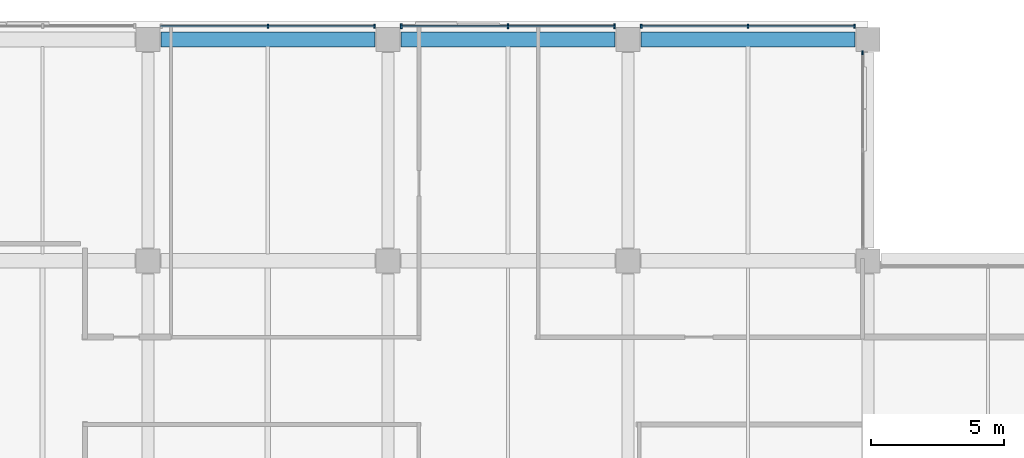
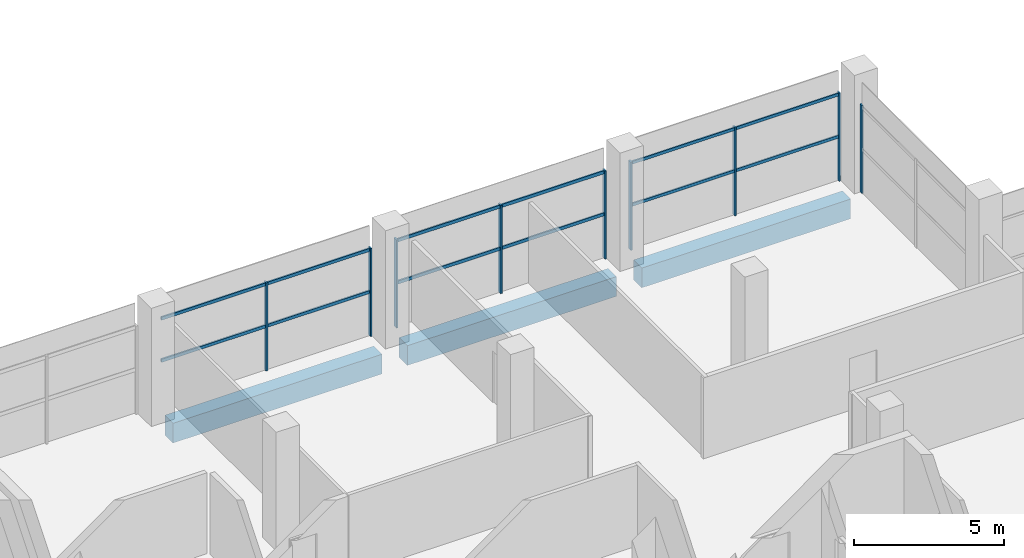
# One storey, part 36 of 100: 15 members, 3 beams, 4 elements without a shape of their own.
"""IFC4 building model written with IfcOpenShell, lengths in metres."""

from ifc_helpers import new_model, si_unit, direction, frame, origin, origin_2d, place, context, subcontext, project, spatial, rectangle, extrude, material, material_profile, profile_set, type_object, element, aggregate, save


model = new_model("IFC4")

# Units and contexts
model_context = context("Model", 3, precision=1e-05, world=origin(), true_north=direction((0.0, 1.0)))
body_context = subcontext(model_context, "Body", "Model", "MODEL_VIEW")
ifc_project = project(units=[si_unit("LENGTHUNIT", "METRE"), si_unit("AREAUNIT", "SQUARE_METRE"), si_unit("VOLUMEUNIT", "CUBIC_METRE"), si_unit("PLANEANGLEUNIT", "RADIAN"), si_unit("MASSUNIT", "GRAM", prefix="KILO"), si_unit("THERMODYNAMICTEMPERATUREUNIT", "KELVIN"), si_unit("POWERUNIT", "WATT")], contexts=[model_context])

# Site, building, storey
site_placement = place(None, origin())
site = spatial("IfcSite", under=ifc_project, at=site_placement, CompositionType="ELEMENT")
building_placement = place(site_placement, origin())
building = spatial("IfcBuilding", under=site, at=building_placement, Name="Sindhuravela Promenade Stadium", CompositionType="ELEMENT")
storey_placement = place(building_placement, frame((0.0, 0.0, 4.800048828125)))
storey = spatial("IfcBuildingStorey", under=building, at=storey_placement, Name="L01", CompositionType="ELEMENT", Elevation=4.800048828125)

# Curtain wall, members
ifc_material_1 = material(Name="Anodised architectural aluminium 6063-T6", Category="aluminium")
curtain_wall_type_1 = type_object("IfcCurtainWallType", Name="CW-MOD-4", PredefinedType="NOTDEFINED", material=ifc_material_1)
curtain_wall_1_placement = place(storey_placement, origin())
curtain_wall_1 = element("IfcCurtainWall", 1, at=curtain_wall_1_placement, inside=storey, type_object=curtain_wall_type_1, Name="Bronze curtain wall CW-NORTH-L01-139", PredefinedType="NOTDEFINED")
ifc_material_profile_1 = material_profile(ifc_material_1, rectangle(XDim=0.06494140625, YDim=0.14990234375, at=origin_2d()), Name="ALU MULL 65x150")
ifc_profile_set_1 = profile_set([ifc_material_profile_1], Name="Anodised architectural aluminium 6063-T6")
member_type_1 = type_object("IfcMemberType", Name="CW-MUL-2", PredefinedType="MULLION", material=ifc_profile_set_1)
member_1_placement = place(storey_placement, frame((67.5, 161.800048828125, 0.0), z_axis=(0.0, 0.0, 1.0), x_axis=(1.0, 0.0, 0.0)))
member_1 = element("IfcMember", 2, at=member_1_placement, type_object=member_type_1, Name="Curtain wall mullion CW-NORTH-L01-139-M2", PredefinedType="MULLION", context=body_context, shape_type="SweptSolid", body=[
    extrude(rectangle(XDim=0.06494140625, YDim=0.14990234375, at=origin_2d()), origin(), (0.0, 0.0, 1.0), 3.579833984375),
])
member_2_placement = place(storey_placement, frame((71.5, 161.800048828125, 0.0), z_axis=(0.0, 0.0, 1.0), x_axis=(1.0, 0.0, 0.0)))
member_2 = element("IfcMember", 3, at=member_2_placement, type_object=member_type_1, Name="Curtain wall mullion CW-NORTH-L01-139-M3", PredefinedType="MULLION", context=body_context, shape_type="SweptSolid", body=[
    extrude(rectangle(XDim=0.06494140625, YDim=0.14990234375, at=origin_2d()), origin(), (0.0, 0.0, 1.0), 3.579833984375),
])

curtain_wall_type_2 = type_object("IfcCurtainWallType", Name="CW-MOD-5", PredefinedType="NOTDEFINED", material=ifc_material_1)
curtain_wall_2_placement = place(storey_placement, origin())
curtain_wall_2 = element("IfcCurtainWall", 4, at=curtain_wall_2_placement, inside=storey, type_object=curtain_wall_type_2, Name="Bronze curtain wall CW-NORTH-L01-140", PredefinedType="NOTDEFINED")
ifc_material_profile_2 = material_profile(ifc_material_1, rectangle(XDim=0.06005859375, YDim=0.179931640625, at=origin_2d()), Name="ALU M60x180")
ifc_profile_set_2 = profile_set([ifc_material_profile_2], Name="Anodised architectural aluminium 6063-T6")
member_type_2 = type_object("IfcMemberType", Name="CW-MUL-3", PredefinedType="MULLION", material=ifc_profile_set_2)
member_3_placement = place(storey_placement, frame((72.5, 161.800048828125, 0.0), z_axis=(0.0, 0.0, 1.0), x_axis=(1.0, 0.0, 0.0)))
member_3 = element("IfcMember", 5, at=member_3_placement, type_object=member_type_2, Name="Curtain wall mullion CW-NORTH-L01-140-M1", PredefinedType="MULLION", context=body_context, shape_type="SweptSolid", body=[
    extrude(rectangle(XDim=0.06005859375, YDim=0.179931640625, at=origin_2d()), origin(), (0.0, 0.0, 1.0), 3.579833984375),
])
member_4_placement = place(storey_placement, frame((76.5, 161.800048828125, 0.0), z_axis=(0.0, 0.0, 1.0), x_axis=(1.0, 0.0, 0.0)))
member_4 = element("IfcMember", 6, at=member_4_placement, type_object=member_type_2, Name="Curtain wall mullion CW-NORTH-L01-140-M2", PredefinedType="MULLION", context=body_context, shape_type="SweptSolid", body=[
    extrude(rectangle(XDim=0.06005859375, YDim=0.179931640625, at=origin_2d()), origin(), (0.0, 0.0, 1.0), 3.579833984375),
])
member_5_placement = place(storey_placement, frame((80.5, 161.800048828125, 0.0), z_axis=(0.0, 0.0, 1.0), x_axis=(1.0, 0.0, 0.0)))
member_5 = element("IfcMember", 7, at=member_5_placement, type_object=member_type_2, Name="Curtain wall mullion CW-NORTH-L01-140-M3", PredefinedType="MULLION", context=body_context, shape_type="SweptSolid", body=[
    extrude(rectangle(XDim=0.06005859375, YDim=0.179931640625, at=origin_2d()), origin(), (0.0, 0.0, 1.0), 3.579833984375),
])

curtain_wall_type_3 = type_object("IfcCurtainWallType", Name="CW-MOD-6", PredefinedType="NOTDEFINED", material=ifc_material_1)
curtain_wall_3_placement = place(storey_placement, origin())
curtain_wall_3 = element("IfcCurtainWall", 8, at=curtain_wall_3_placement, inside=storey, type_object=curtain_wall_type_3, Name="Bronze curtain wall CW-NORTH-L01-141", PredefinedType="NOTDEFINED")
ifc_material_profile_3 = material_profile(ifc_material_1, rectangle(XDim=0.06005859375, YDim=0.159912109375, at=origin_2d()), Name="ALU M60x160")
ifc_profile_set_3 = profile_set([ifc_material_profile_3], Name="Anodised architectural aluminium 6063-T6")
member_type_3 = type_object("IfcMemberType", Name="CW-MUL-4", PredefinedType="MULLION", material=ifc_profile_set_3)
member_6_placement = place(storey_placement, frame((81.5, 161.800048828125, 0.0), z_axis=(0.0, 0.0, 1.0), x_axis=(1.0, 0.0, 0.0)))
member_6 = element("IfcMember", 9, at=member_6_placement, type_object=member_type_3, Name="Curtain wall mullion CW-NORTH-L01-141-M1", PredefinedType="MULLION", context=body_context, shape_type="SweptSolid", body=[
    extrude(rectangle(XDim=0.06005859375, YDim=0.159912109375, at=origin_2d()), origin(), (0.0, 0.0, 1.0), 3.579833984375),
])
member_7_placement = place(storey_placement, frame((85.5, 161.800048828125, 0.0), z_axis=(0.0, 0.0, 1.0), x_axis=(1.0, 0.0, 0.0)))
member_7 = element("IfcMember", 10, at=member_7_placement, type_object=member_type_3, Name="Curtain wall mullion CW-NORTH-L01-141-M2", PredefinedType="MULLION", context=body_context, shape_type="SweptSolid", body=[
    extrude(rectangle(XDim=0.06005859375, YDim=0.159912109375, at=origin_2d()), origin(), (0.0, 0.0, 1.0), 3.579833984375),
])
member_8_placement = place(storey_placement, frame((89.5, 161.800048828125, 0.0), z_axis=(0.0, 0.0, 1.0), x_axis=(1.0, 0.0, 0.0)))
member_8 = element("IfcMember", 11, at=member_8_placement, type_object=member_type_3, Name="Curtain wall mullion CW-NORTH-L01-141-M3", PredefinedType="MULLION", context=body_context, shape_type="SweptSolid", body=[
    extrude(rectangle(XDim=0.06005859375, YDim=0.159912109375, at=origin_2d()), origin(), (0.0, 0.0, 1.0), 3.579833984375),
])

# Curtain wall, member
curtain_wall_type_4 = type_object("IfcCurtainWallType", Name="CW-MOD-7", PredefinedType="NOTDEFINED", material=ifc_material_1)
curtain_wall_4_placement = place(storey_placement, origin())
curtain_wall_4 = element("IfcCurtainWall", 12, at=curtain_wall_4_placement, inside=storey, type_object=curtain_wall_type_4, Name="Bronze curtain wall CW-NORTH-L01-142", PredefinedType="NOTDEFINED")
ifc_material_profile_4 = material_profile(ifc_material_1, rectangle(XDim=0.06005859375, YDim=0.139892578125, at=origin_2d()), Name="ALU M60x140")
ifc_profile_set_4 = profile_set([ifc_material_profile_4], Name="Anodised architectural aluminium 6063-T6")
member_type_4 = type_object("IfcMemberType", Name="CW-MUL-5", PredefinedType="MULLION", material=ifc_profile_set_4)
member_9_placement = place(storey_placement, frame((89.800048828125, 160.800048828125, 0.0), z_axis=(0.0, 0.0, 1.0), x_axis=(1.0, 0.0, 0.0)))
member_9 = element("IfcMember", 13, at=member_9_placement, type_object=member_type_4, Name="Curtain wall mullion CW-NORTH-L01-142-M1", PredefinedType="MULLION", context=body_context, shape_type="SweptSolid", body=[
    extrude(rectangle(XDim=0.06005859375, YDim=0.139892578125, at=origin_2d()), origin(), (0.0, 0.0, 1.0), 3.579833984375),
])
aggregate(curtain_wall_4, [member_9])

# Member
ifc_material_profile_5 = material_profile(ifc_material_1, rectangle(XDim=0.06494140625, YDim=0.125, at=origin_2d()), Name="ALU TRAN 65x125")
ifc_profile_set_5 = profile_set([ifc_material_profile_5], Name="Anodised architectural aluminium 6063-T6")
member_type_5 = type_object("IfcMemberType", Name="CW-TRN-2", PredefinedType="USERDEFINED", material=ifc_profile_set_5)
member_10_placement = place(storey_placement, frame((63.47509765625, 161.800048828125, 1.7900390625), z_axis=(1.0, 0.0, 0.0), x_axis=(0.0, 1.0, 0.0)))
member_10 = element("IfcMember", 14, at=member_10_placement, type_object=member_type_5, Name="Curtain wall transom CW-NORTH-L01-139-T1", ObjectType="TRANSOM", PredefinedType="USERDEFINED", context=body_context, shape_type="SweptSolid", body=[
    extrude(rectangle(XDim=0.06494140625, YDim=0.125, at=origin_2d()), origin(), (0.0, 0.0, 1.0), 8.0498046875),
])

member_11_placement = place(storey_placement, frame((63.47509765625, 161.800048828125, 3.5), z_axis=(1.0, 0.0, 0.0), x_axis=(0.0, 1.0, 0.0)))
member_11 = element("IfcMember", 15, at=member_11_placement, type_object=member_type_5, Name="Curtain wall transom CW-NORTH-L01-139-T2", ObjectType="TRANSOM", PredefinedType="USERDEFINED", context=body_context, shape_type="SweptSolid", body=[
    extrude(rectangle(XDim=0.06494140625, YDim=0.125, at=origin_2d()), origin(), (0.0, 0.0, 1.0), 8.0498046875),
])

aggregate(curtain_wall_1, [member_1, member_2, member_10, member_11])

ifc_material_profile_6 = material_profile(ifc_material_1, rectangle(XDim=0.06005859375, YDim=0.1298828125, at=origin_2d()), Name="ALU T60x130")
ifc_profile_set_6 = profile_set([ifc_material_profile_6], Name="Anodised architectural aluminium 6063-T6")
member_type_6 = type_object("IfcMemberType", Name="CW-TRN-3", PredefinedType="USERDEFINED", material=ifc_profile_set_6)
member_12_placement = place(storey_placement, frame((72.47509765625, 161.800048828125, 1.7900390625), z_axis=(1.0, 0.0, 0.0), x_axis=(0.0, 1.0, 0.0)))
member_12 = element("IfcMember", 16, at=member_12_placement, type_object=member_type_6, Name="Curtain wall transom CW-NORTH-L01-140-T1", ObjectType="TRANSOM", PredefinedType="USERDEFINED", context=body_context, shape_type="SweptSolid", body=[
    extrude(rectangle(XDim=0.06005859375, YDim=0.1298828125, at=origin_2d()), origin(), (0.0, 0.0, 1.0), 8.0498046875),
])

member_13_placement = place(storey_placement, frame((72.47509765625, 161.800048828125, 3.5), z_axis=(1.0, 0.0, 0.0), x_axis=(0.0, 1.0, 0.0)))
member_13 = element("IfcMember", 17, at=member_13_placement, type_object=member_type_6, Name="Curtain wall transom CW-NORTH-L01-140-T2", ObjectType="TRANSOM", PredefinedType="USERDEFINED", context=body_context, shape_type="SweptSolid", body=[
    extrude(rectangle(XDim=0.06005859375, YDim=0.1298828125, at=origin_2d()), origin(), (0.0, 0.0, 1.0), 8.0498046875),
])

aggregate(curtain_wall_2, [member_3, member_4, member_5, member_12, member_13])

ifc_material_profile_7 = material_profile(ifc_material_1, rectangle(XDim=0.06005859375, YDim=0.1201171875, at=origin_2d()), Name="ALU T60x120")
ifc_profile_set_7 = profile_set([ifc_material_profile_7], Name="Anodised architectural aluminium 6063-T6")
member_type_7 = type_object("IfcMemberType", Name="CW-TRN-4", PredefinedType="USERDEFINED", material=ifc_profile_set_7)
member_14_placement = place(storey_placement, frame((81.47509765625, 161.800048828125, 1.7900390625), z_axis=(1.0, 0.0, 0.0), x_axis=(0.0, 1.0, 0.0)))
member_14 = element("IfcMember", 18, at=member_14_placement, type_object=member_type_7, Name="Curtain wall transom CW-NORTH-L01-141-T1", ObjectType="TRANSOM", PredefinedType="USERDEFINED", context=body_context, shape_type="SweptSolid", body=[
    extrude(rectangle(XDim=0.06005859375, YDim=0.1201171875, at=origin_2d()), origin(), (0.0, 0.0, 1.0), 8.0498046875),
])

member_15_placement = place(storey_placement, frame((81.47509765625, 161.800048828125, 3.5), z_axis=(1.0, 0.0, 0.0), x_axis=(0.0, 1.0, 0.0)))
member_15 = element("IfcMember", 19, at=member_15_placement, type_object=member_type_7, Name="Curtain wall transom CW-NORTH-L01-141-T2", ObjectType="TRANSOM", PredefinedType="USERDEFINED", context=body_context, shape_type="SweptSolid", body=[
    extrude(rectangle(XDim=0.06005859375, YDim=0.1201171875, at=origin_2d()), origin(), (0.0, 0.0, 1.0), 8.0498046875),
])

aggregate(curtain_wall_3, [member_6, member_7, member_8, member_14, member_15])

# Beams
ifc_material_2 = material(Name="Concrete M40", Category="concrete")
ifc_material_profile_8 = material_profile(ifc_material_2, rectangle(XDim=0.550048828125, YDim=0.800048828125, at=origin_2d()), Name="RC 550x800")
ifc_profile_set_8 = profile_set([ifc_material_profile_8], Name="Concrete M40")
beam_type = type_object("IfcBeamType", Name="RC-BM-550x800", PredefinedType="BEAM", material=ifc_profile_set_8)
for number, where, z_axis, x_axis, name in (
    (20, (63.489990234375, 161.300048828125, -0.699951171875), (1.0, 0.0, 0.0), (0.0, 1.0, 0.0), "Primary girder GB05 NORTH L01"),
    (21, (72.489990234375, 161.300048828125, -0.699951171875), (1.0, 0.0, 0.0), (0.0, 1.0, 0.0), "Primary girder GB05 NORTH L01"),
    (22, (81.489990234375, 161.300048828125, -0.699951171875), (1.0, 0.0, 0.0), (0.0, 1.0, 0.0), "Primary girder GB05 NORTH L01"),
):
    element("IfcBeam", number, at=place(storey_placement, frame(where, z_axis=z_axis, x_axis=x_axis)), inside=storey, type_object=beam_type, Name=name, PredefinedType="BEAM", context=body_context, shape_type="SweptSolid", body=[
        extrude(rectangle(XDim=0.550048828125, YDim=0.800048828125, at=origin_2d()), origin(), (0.0, 0.0, 1.0), 8.02001953125),
    ])

save(model, "model.ifc")
